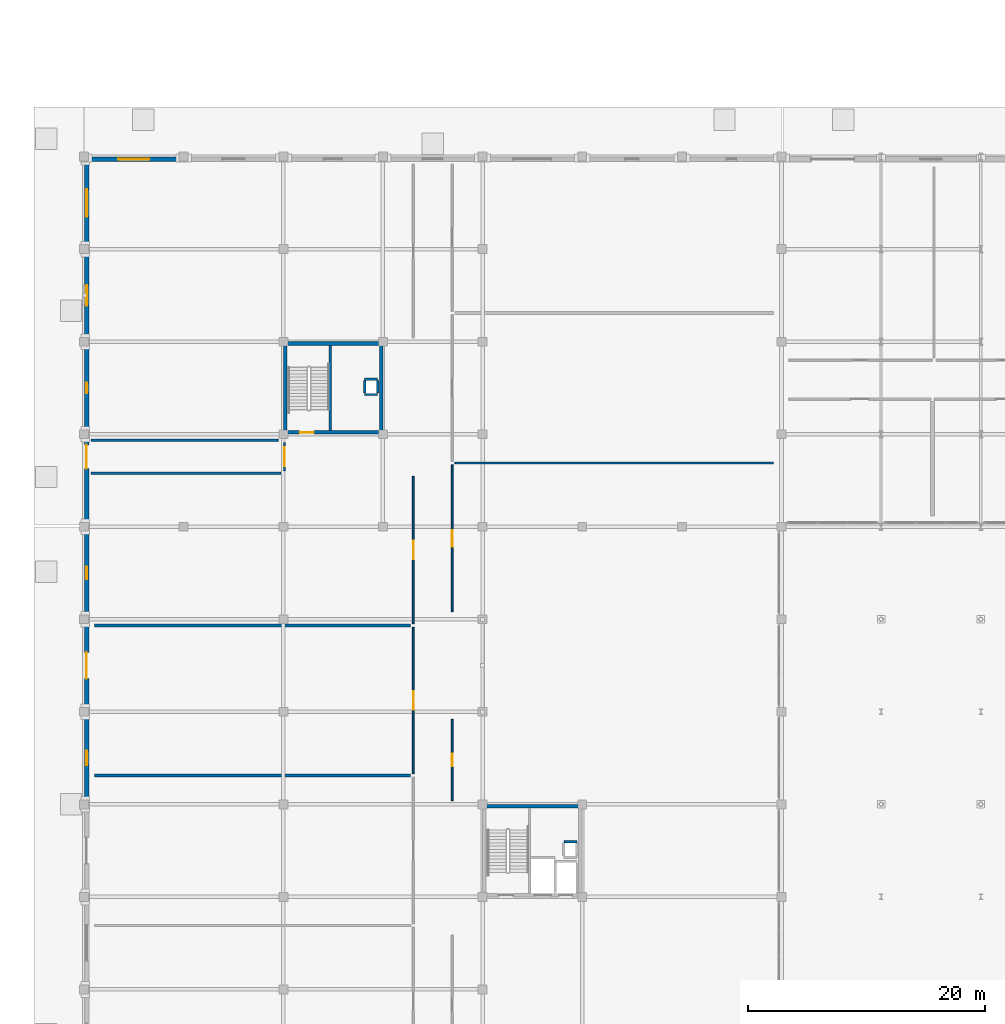
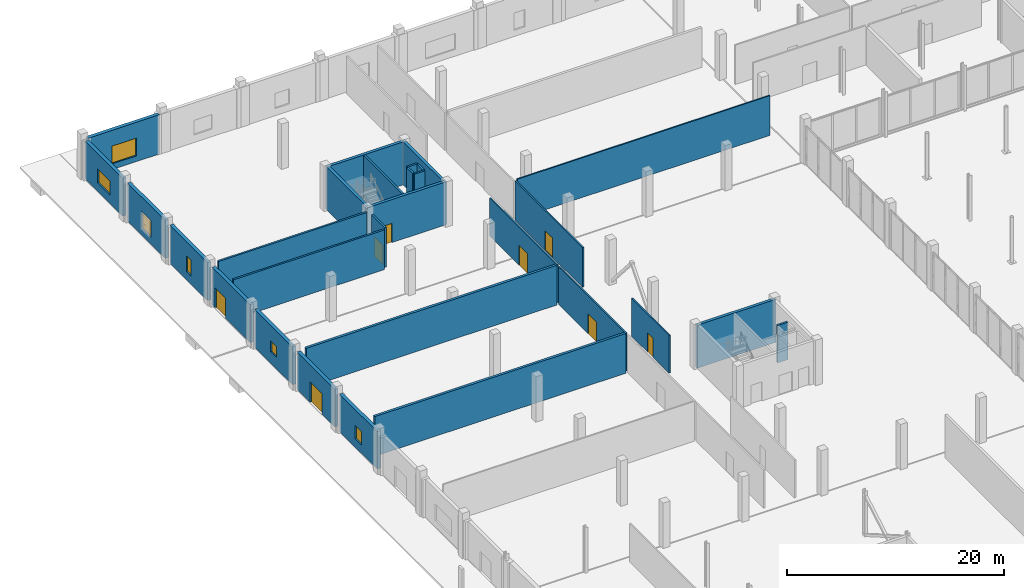
# One storey, part 50 of 80: 29 walls, 8 doors, 6 windows, 14 openings.
"""IFC4 building model written with IfcOpenShell, lengths in metres."""

from ifc_helpers import new_model, si_unit, direction, frame, frame_2d, origin, place, context, subcontext, project, spatial, rectangle, extrude, material, layer, layer_set, type_object, element, fill, save


model = new_model("IFC4")

# Units and contexts
model_context = context("Model", 3, precision=1e-05, world=origin(), true_north=direction((0.0, 1.0)))
body_context = subcontext(model_context, "Body", "Model", "MODEL_VIEW")
ifc_project = project(units=[si_unit("LENGTHUNIT", "METRE"), si_unit("AREAUNIT", "SQUARE_METRE"), si_unit("VOLUMEUNIT", "CUBIC_METRE"), si_unit("PLANEANGLEUNIT", "RADIAN"), si_unit("MASSUNIT", "GRAM", prefix="KILO")], contexts=[model_context])

# Site, building, storey
site_placement = place(None, origin())
site = spatial("IfcSite", under=ifc_project, at=site_placement, CompositionType="ELEMENT")
building_placement = place(site_placement, origin())
building = spatial("IfcBuilding", under=site, at=building_placement, Name="Nabrawat Pavilion Hospital", CompositionType="ELEMENT")
storey_placement = place(building_placement, origin())
storey = spatial("IfcBuildingStorey", under=building, at=storey_placement, Name="L00", CompositionType="ELEMENT", Elevation=0.0)

# Wall, opening, door
ifc_material_1 = material(Name="Gypsum Fireboard on Steel Stud", Category="steel")
ifc_layer_1 = layer(ifc_material_1, 0.14990234375, Name="Gypsum Fireboard on Steel Stud")
ifc_layer_set_1 = layer_set([ifc_layer_1], Name="Gypsum Fireboard on Steel Stud")
wall_type_1 = type_object("IfcWallType", Name="Clinical Corridor Smoke-Barrier Wall 150", PredefinedType="PARTITIONING", material=ifc_layer_set_1)
wall_1_placement = place(storey_placement, frame((27.760009765625, 64.989990234375, 0.0), z_axis=(0.0, 0.0, 1.0), x_axis=(0.0, 1.0, 0.0)))
wall_1 = element("IfcWall", 1, at=wall_1_placement, inside=storey, type_object=wall_type_1, Name="L00 Diagnostic Imaging Ultrasound Suite L00-03 Front Partition", PredefinedType="PARTITIONING", context=body_context, shape_type="SweptSolid", body=[
    extrude(rectangle(XDim=12.324951171875, YDim=0.14990234375, at=frame_2d((6.16259765625, 0.0))), origin(), (0.0, 0.0, 1.0), 4.260009765625),
])
opening_1_placement = place(wall_1_placement, frame((5.387451171875, 0.0, 0.0)))
opening_1 = element("IfcOpeningElement", 2, at=opening_1_placement, cuts=wall_1, Name="Opening D-IMG", PredefinedType="OPENING", context=body_context, shape_type="SweptSolid", body=[
    extrude(rectangle(XDim=1.550048828125, YDim=2.25, at=frame_2d((0.77490234375, 1.125))), frame((0.0, 0.0849609375, 0.0), z_axis=(0.0, -1.0, 0.0), x_axis=(1.0, 0.0, 0.0)), (0.0, 0.0, 1.0), 0.169921875),
])
ifc_material_2 = material(Name="Stainless-Clad Acoustic Timber and Vision Glass", Category="wood")
door_type_1 = type_object("IfcDoorType", Name="Lead-Lined Radiology Shielded Door 1550x2250", OperationType="NOTDEFINED", PredefinedType="DOOR", material=ifc_material_2)
door_1_placement = place(opening_1_placement, origin())
door_1 = element("IfcDoor", 3, at=door_1_placement, inside=storey, type_object=door_type_1, Name="Diagnostic Imaging Ultrasound Suite L00-03 Door", OperationType="SINGLE_SWING_RIGHT", OverallHeight=2.25, OverallWidth=1.550048828125, PredefinedType="DOOR", context=body_context, shape_type="SweptSolid", body=[
    extrude(rectangle(XDim=1.550048828125, YDim=2.25, at=frame_2d((0.77490234375, 1.125))), frame((0.0, 0.02490234375, 0.0), z_axis=(0.0, -1.0, 0.0), x_axis=(1.0, 0.0, 0.0)), (0.0, 0.0, 1.0), 0.050048828125),
])
fill(opening_1, door_1)

wall_2_placement = place(storey_placement, frame((27.760009765625, 77.635009765625, 0.0), z_axis=(0.0, 0.0, 1.0), x_axis=(0.0, 1.0, 0.0)))
wall_2 = element("IfcWall", 4, at=wall_2_placement, inside=storey, type_object=wall_type_1, Name="L00 Diagnostic Imaging Fluoroscopy Room L00-04 Front Partition", PredefinedType="PARTITIONING", context=body_context, shape_type="SweptSolid", body=[
    extrude(rectangle(XDim=12.405029296875, YDim=0.14990234375, at=frame_2d((6.20263671875, 0.0))), origin(), (0.0, 0.0, 1.0), 4.260009765625),
])
opening_2_placement = place(wall_2_placement, frame((5.427490234375, 0.0, 0.0)))
opening_2 = element("IfcOpeningElement", 5, at=opening_2_placement, cuts=wall_2, Name="Opening D-IMG", PredefinedType="OPENING", context=body_context, shape_type="SweptSolid", body=[
    extrude(rectangle(XDim=1.550048828125, YDim=2.25, at=frame_2d((0.77490234375, 1.125))), frame((0.0, 0.0849609375, 0.0), z_axis=(0.0, -1.0, 0.0), x_axis=(1.0, 0.0, 0.0)), (0.0, 0.0, 1.0), 0.169921875),
])
door_2_placement = place(opening_2_placement, origin())
door_2 = element("IfcDoor", 6, at=door_2_placement, inside=storey, type_object=door_type_1, Name="Diagnostic Imaging Fluoroscopy Room L00-04 Door", OperationType="SINGLE_SWING_LEFT", OverallHeight=2.25, OverallWidth=1.550048828125, PredefinedType="DOOR", context=body_context, shape_type="SweptSolid", body=[
    extrude(rectangle(XDim=1.550048828125, YDim=2.25, at=frame_2d((0.77490234375, 1.125))), frame((0.0, 0.02490234375, 0.0), z_axis=(0.0, -1.0, 0.0), x_axis=(1.0, 0.0, 0.0)), (0.0, 0.0, 1.0), 0.050048828125),
])
fill(opening_2, door_2)

wall_3_placement = place(storey_placement, frame((31.0400390625, 62.719970703125, 0.0), z_axis=(0.0, 0.0, 1.0), x_axis=(0.0, 1.0, 0.0)))
wall_3 = element("IfcWall", 7, at=wall_3_placement, inside=storey, type_object=wall_type_1, Name="L00 Orthopaedic Plaster and Fracture Clinic L00-07 Front Partition", PredefinedType="PARTITIONING", context=body_context, shape_type="SweptSolid", body=[
    extrude(rectangle(XDim=6.860107421875, YDim=0.14990234375, at=frame_2d((3.43017578125, 0.0))), origin(), (0.0, 0.0, 1.0), 4.260009765625),
])
opening_3_placement = place(wall_3_placement, frame((2.905029296875, 0.0, 0.0)))
opening_3 = element("IfcOpeningElement", 8, at=opening_3_placement, cuts=wall_3, Name="Opening D-OPC-L", PredefinedType="OPENING", context=body_context, shape_type="SweptSolid", body=[
    extrude(rectangle(XDim=1.050048828125, YDim=2.14990234375, at=frame_2d((0.52490234375, 1.074951171875))), frame((0.0, 0.0849609375, 0.0), z_axis=(0.0, -1.0, 0.0), x_axis=(1.0, 0.0, 0.0)), (0.0, 0.0, 1.0), 0.169921875),
])
door_type_2 = type_object("IfcDoorType", Name="Outpatient Clinic Consultation Door L 1050x2150", OperationType="NOTDEFINED", PredefinedType="DOOR", material=ifc_material_2)
door_3_placement = place(opening_3_placement, origin())
door_3 = element("IfcDoor", 9, at=door_3_placement, inside=storey, type_object=door_type_2, Name="Orthopaedic Plaster and Fracture Clinic L00-07 Door", OperationType="SINGLE_SWING_RIGHT", OverallHeight=2.14990234375, OverallWidth=1.050048828125, PredefinedType="DOOR", context=body_context, shape_type="SweptSolid", body=[
    extrude(rectangle(XDim=1.050048828125, YDim=2.14990234375, at=frame_2d((0.52490234375, 1.074951171875))), frame((0.0, 0.02490234375, 0.0), z_axis=(0.0, -1.0, 0.0), x_axis=(1.0, 0.0, 0.0)), (0.0, 0.0, 1.0), 0.050048828125),
])
fill(opening_3, door_3)

wall_4_placement = place(storey_placement, frame((31.0400390625, 78.6201171875, 0.0), z_axis=(0.0, 0.0, 1.0), x_axis=(0.0, 1.0, 0.0)))
wall_4 = element("IfcWall", 10, at=wall_4_placement, inside=storey, type_object=wall_type_1, Name="L00 Emergency Short-Stay Observation Ward L00-08 Front Partition", PredefinedType="PARTITIONING", context=body_context, shape_type="SweptSolid", body=[
    extrude(rectangle(XDim=12.39990234375, YDim=0.14990234375, at=frame_2d((6.199951171875, 0.0))), origin(), (0.0, 0.0, 1.0), 4.449951171875),
])
opening_4_placement = place(wall_4_placement, frame((5.5, 0.0, 0.0)))
opening_4 = element("IfcOpeningElement", 11, at=opening_4_placement, cuts=wall_4, Name="Opening D-BED", PredefinedType="OPENING", context=body_context, shape_type="SweptSolid", body=[
    extrude(rectangle(XDim=1.39990234375, YDim=2.199951171875, at=frame_2d((0.699951171875, 1.10009765625))), frame((0.0, 0.0849609375, 0.0), z_axis=(0.0, -1.0, 0.0), x_axis=(1.0, 0.0, 0.0)), (0.0, 0.0, 1.0), 0.169921875),
])
door_type_3 = type_object("IfcDoorType", Name="D-BED Inpatient Ward Leaf-and-a-Half Door 1400x2200", OperationType="NOTDEFINED", PredefinedType="DOOR", material=ifc_material_2)
door_4_placement = place(opening_4_placement, origin())
door_4 = element("IfcDoor", 12, at=door_4_placement, inside=storey, type_object=door_type_3, Name="Emergency Short-Stay Observation Ward L00-08 Door", OperationType="SINGLE_SWING_LEFT", OverallHeight=2.199951171875, OverallWidth=1.39990234375, PredefinedType="DOOR", context=body_context, shape_type="SweptSolid", body=[
    extrude(rectangle(XDim=1.39990234375, YDim=2.199951171875, at=frame_2d((0.699951171875, 1.10009765625))), frame((0.0, 0.02490234375, 0.0), z_axis=(0.0, -1.0, 0.0), x_axis=(1.0, 0.0, 0.0)), (0.0, 0.0, 1.0), 0.050048828125),
])
fill(opening_4, door_4)

# Walls
ifc_material_3 = material(Name="Barium Concrete Block", Category="concrete")
ifc_layer_2 = layer(ifc_material_3, 0.260009765625, Name="Barium Concrete Block")
ifc_layer_set_2 = layer_set([ifc_layer_2], Name="Barium Concrete Block")
wall_type_2 = type_object("IfcWallType", Name="Diagnostic X-Ray Barium-Plaster Wall 260", PredefinedType="PARTITIONING", material=ifc_layer_set_2)
for number, where, z_axis, x_axis, name in (
    (13, (0.889892578125, 64.830078125, 0.0), (0.0, 0.0, 1.0), (1.0, 0.0, 0.0), "L00 Diagnostic Imaging Digital X-Ray Room L00-02 Dividing Partition"),
    (14, (0.889892578125, 77.47509765625, 0.0), (0.0, 0.0, 1.0), (1.0, 0.0, 0.0), "L00 Diagnostic Imaging Ultrasound Suite L00-03 Dividing Partition"),
):
    element("IfcWall", number, at=place(storey_placement, frame(where, z_axis=z_axis, x_axis=x_axis)), inside=storey, type_object=wall_type_2, Name=name, PredefinedType="PARTITIONING", context=body_context, shape_type="SweptSolid", body=[
        extrude(rectangle(XDim=26.650146484375, YDim=0.260009765625, at=frame_2d((13.3251953125, 0.0))), origin(), (0.0, 0.0, 1.0), 4.4599609375),
    ])
ifc_material_4 = material(Name="Concrete C35/45", Category="concrete")
ifc_layer_3 = layer(ifc_material_4, 0.199951171875, Name="Concrete C35/45")
ifc_layer_set_3 = layer_set([ifc_layer_3], Name="Concrete C35/45")
wall_type_3 = type_object("IfcWallType", Name="Firefighting Lobby Compartment Wall 200", PredefinedType="PARTITIONING", material=ifc_layer_set_3)
wall_5_placement = place(storey_placement, frame((0.60009765625, 90.300048828125, 0.0), z_axis=(0.0, 0.0, 1.0), x_axis=(1.0, 0.0, 0.0)))
element("IfcWall", 15, at=wall_5_placement, inside=storey, type_object=wall_type_3, Name="L00 ST-07 Protected Exit Passage South Fire Wall 1", PredefinedType="PARTITIONING", context=body_context, shape_type="SweptSolid", body=[
    extrude(rectangle(XDim=16.0, YDim=0.199951171875, at=frame_2d((8.0, 0.0))), origin(), (0.0, 0.0, 1.0), 4.4599609375),
])
wall_6_placement = place(storey_placement, frame((0.60009765625, 93.10009765625, 0.0), z_axis=(0.0, 0.0, 1.0), x_axis=(1.0, 0.0, 0.0)))
element("IfcWall", 16, at=wall_6_placement, inside=storey, type_object=wall_type_3, Name="L00 ST-07 Protected Exit Passage North Fire Wall 1", PredefinedType="PARTITIONING", context=body_context, shape_type="SweptSolid", body=[
    extrude(rectangle(XDim=15.77490234375, YDim=0.199951171875, at=frame_2d((7.887451171875, 0.0))), origin(), (0.0, 0.0, 1.0), 4.81005859375),
])

# Wall, opening, door
wall_7_placement = place(storey_placement, frame((16.89990234375, 90.47998046875, 0.0), z_axis=(0.0, 0.0, 1.0), x_axis=(0.0, 1.0, 0.0)))
wall_7 = element("IfcWall", 17, at=wall_7_placement, inside=storey, type_object=wall_type_3, Name="L00 ST-07 Protected Exit Passage East Fire Wall 1", PredefinedType="PARTITIONING", context=body_context, shape_type="SweptSolid", body=[
    extrude(rectangle(XDim=2.43994140625, YDim=0.199951171875, at=frame_2d((1.219970703125, 0.0))), origin(), (0.0, 0.0, 1.0), 4.4599609375),
])
opening_5_placement = place(wall_7_placement, frame((0.419921875, 0.0, 0.0)))
opening_5 = element("IfcOpeningElement", 18, at=opening_5_placement, cuts=wall_7, Name="Opening D-FFL", PredefinedType="OPENING", context=body_context, shape_type="SweptSolid", body=[
    extrude(rectangle(XDim=1.60009765625, YDim=2.199951171875, at=frame_2d((0.800048828125, 1.10009765625))), frame((0.0, 0.10986328125, 0.0), z_axis=(0.0, -1.0, 0.0), x_axis=(1.0, 0.0, 0.0)), (0.0, 0.0, 1.0), 0.219970703125),
])
door_type_4 = type_object("IfcDoorType", Name="D-FFL Firefighting Lobby Double Smoke Door 1600x2200", OperationType="NOTDEFINED", PredefinedType="DOOR", material=ifc_material_2)
door_5_placement = place(opening_5_placement, origin())
door_5 = element("IfcDoor", 19, at=door_5_placement, inside=storey, type_object=door_type_4, Name="L00 ST-07 Protected Exit Passage Entry Fire Door", OperationType="DOUBLE_DOOR_SINGLE_SWING", OverallHeight=2.199951171875, OverallWidth=1.60009765625, PredefinedType="DOOR", context=body_context, shape_type="SweptSolid", body=[
    extrude(rectangle(XDim=1.60009765625, YDim=2.199951171875, at=frame_2d((0.800048828125, 1.10009765625))), frame((0.0, 0.02490234375, 0.0), z_axis=(0.0, -1.0, 0.0), x_axis=(1.0, 0.0, 0.0)), (0.0, 0.0, 1.0), 0.050048828125),
])
fill(opening_5, door_5)

# Walls
ifc_material_5 = material(Name="Acoustic Gypsum on Steel Stud", Category="steel")
ifc_layer_4 = layer(ifc_material_5, 0.139892578125, Name="Acoustic Gypsum on Steel Stud")
ifc_layer_set_4 = layer_set([ifc_layer_4], Name="Acoustic Gypsum on Steel Stud")
wall_type_4 = type_object("IfcWallType", Name="Inpatient Ward Acoustic Partition 140", PredefinedType="PARTITIONING", material=ifc_layer_set_4)
wall_8_placement = place(storey_placement, frame((31.260009765625, 91.179931640625, 0.0), z_axis=(0.0, 0.0, 1.0), x_axis=(1.0, 0.0, 0.0)))
element("IfcWall", 20, at=wall_8_placement, inside=storey, type_object=wall_type_4, Name="L00 Emergency Short-Stay Observation Ward L00-08 Dividing Partition", PredefinedType="PARTITIONING", context=body_context, shape_type="SweptSolid", body=[
    extrude(rectangle(XDim=26.85009765625, YDim=0.139892578125, at=frame_2d((13.425048828125, 0.0))), origin(), (0.0, 0.0, 1.0), 4.4599609375),
])
ifc_layer_5 = layer(ifc_material_4, 0.199951171875, Name="Concrete C35/45")
ifc_layer_set_5 = layer_set([ifc_layer_5], Name="Concrete C35/45")
wall_type_5 = type_object("IfcWallType", Name="Lift and Riser Fire Shaft Wall 200", PredefinedType="PARTITIONING", material=ifc_layer_set_5)
wall_9_placement = place(storey_placement, frame((40.449951171875, 59.25, 0.0), z_axis=(0.0, 0.0, 1.0), x_axis=(1.0, 0.0, 0.0)))
element("IfcWall", 21, at=wall_9_placement, inside=storey, type_object=wall_type_5, Name="L00 CORE-2 MEP Riser Shaft Wall N", PredefinedType="PARTITIONING", context=body_context, shape_type="SweptSolid", body=[
    extrude(rectangle(XDim=1.10009765625, YDim=0.199951171875, at=frame_2d((0.550048828125, 0.0))), origin(), (0.0, 0.0, 1.0), 4.2099609375),
])
wall_10_placement = place(storey_placement, frame((20.75, 93.919921875, 0.0), z_axis=(0.0, 0.0, 1.0), x_axis=(0.0, 1.0, 0.0)))
element("IfcWall", 22, at=wall_10_placement, inside=storey, type_object=wall_type_5, Name="L00 CORE-7 Stair-Lift Dividing Shear Wall", PredefinedType="SHEAR", context=body_context, shape_type="SweptSolid", body=[
    extrude(rectangle(XDim=7.16015625, YDim=0.199951171875, at=frame_2d((3.580078125, 0.0))), origin(), (0.0, 0.0, 1.0), 4.830078125),
])
for number, where, z_axis, x_axis, name in (
    (23, (23.64990234375, 96.949951171875, 0.0), (0.0, 0.0, 1.0), (1.0, 0.0, 0.0), "L00 CORE-7 MEP Riser Shaft Wall S"),
    (24, (23.64990234375, 98.25, 0.0), (0.0, 0.0, 1.0), (1.0, 0.0, 0.0), "L00 CORE-7 MEP Riser Shaft Wall N"),
):
    element("IfcWall", number, at=place(storey_placement, frame(where, z_axis=z_axis, x_axis=x_axis)), inside=storey, type_object=wall_type_5, Name=name, PredefinedType="PARTITIONING", context=body_context, shape_type="SweptSolid", body=[
        extrude(rectangle(XDim=1.10009765625, YDim=0.199951171875, at=frame_2d((0.550048828125, 0.0))), origin(), (0.0, 0.0, 1.0), 4.2099609375),
    ])
for number, where, z_axis, x_axis, name in (
    (25, (23.64990234375, 97.070068359375, 0.0), (0.0, 0.0, 1.0), (0.0, 1.0, 0.0), "L00 CORE-7 MEP Riser Shaft Wall W"),
    (26, (24.75, 97.070068359375, 0.0), (0.0, 0.0, 1.0), (0.0, 1.0, 0.0), "L00 CORE-7 MEP Riser Shaft Wall E"),
):
    element("IfcWall", number, at=place(storey_placement, frame(where, z_axis=z_axis, x_axis=x_axis)), inside=storey, type_object=wall_type_5, Name=name, PredefinedType="PARTITIONING", context=body_context, shape_type="SweptSolid", body=[
        extrude(rectangle(XDim=1.059814453125, YDim=0.199951171875, at=frame_2d((0.52978515625, 0.0))), origin(), (0.0, 0.0, 1.0), 4.2099609375),
    ])
ifc_material_6 = material(Name="Concrete C40/50", Category="concrete")
ifc_layer_6 = layer(ifc_material_6, 0.300048828125, Name="Concrete C40/50")
ifc_layer_set_6 = layer_set([ifc_layer_6], Name="Concrete C40/50")
wall_type_6 = type_object("IfcWallType", Name="Reinforced Concrete Core Shear Wall 300", PredefinedType="SHEAR", material=ifc_layer_set_6)
wall_11_placement = place(storey_placement, frame((33.60009765625, 62.25, 0.0), z_axis=(0.0, 0.0, 1.0), x_axis=(1.0, 0.0, 0.0)))
element("IfcWall", 27, at=wall_11_placement, inside=storey, type_object=wall_type_6, Name="L00 CORE-2 North Core Shear Wall", PredefinedType="SHEAR", context=body_context, shape_type="SweptSolid", body=[
    extrude(rectangle(XDim=8.39990234375, YDim=0.300048828125, at=frame_2d((4.199951171875, 0.0))), origin(), (0.0, 0.0, 1.0), 4.830078125),
])

# Wall, opening, door
wall_12_placement = place(storey_placement, frame((16.800048828125, 93.75, 0.0), z_axis=(0.0, 0.0, 1.0), x_axis=(1.0, 0.0, 0.0)))
wall_12 = element("IfcWall", 28, at=wall_12_placement, inside=storey, type_object=wall_type_6, Name="L00 CORE-7 South Core Shear Wall", PredefinedType="SHEAR", context=body_context, shape_type="SweptSolid", body=[
    extrude(rectangle(XDim=8.39990234375, YDim=0.300048828125, at=frame_2d((4.199951171875, 0.0))), origin(), (0.0, 0.0, 1.0), 4.830078125),
])
opening_6_placement = place(wall_12_placement, frame((1.3798828125, 0.0, 0.0)))
opening_6 = element("IfcOpeningElement", 29, at=opening_6_placement, cuts=wall_12, Name="Opening D-STAIR", PredefinedType="OPENING", context=body_context, shape_type="SweptSolid", body=[
    extrude(rectangle(XDim=1.199951171875, YDim=2.14990234375, at=frame_2d((0.60009765625, 1.074951171875))), frame((0.0, 0.16015625, 0.0), z_axis=(0.0, -1.0, 0.0), x_axis=(1.0, 0.0, 0.0)), (0.0, 0.0, 1.0), 0.320068359375),
])
door_type_5 = type_object("IfcDoorType", Name="D-STAIR Exit Stair Fire Door 1200x2150", OperationType="NOTDEFINED", PredefinedType="DOOR", material=ifc_material_2)
door_6_placement = place(opening_6_placement, origin())
door_6 = element("IfcDoor", 30, at=door_6_placement, inside=storey, type_object=door_type_5, Name="L00 ST-07 Fire Exit Stair Door", OperationType="SINGLE_SWING_RIGHT", OverallHeight=2.14990234375, OverallWidth=1.199951171875, PredefinedType="DOOR", context=body_context, shape_type="SweptSolid", body=[
    extrude(rectangle(XDim=1.199951171875, YDim=2.14990234375, at=frame_2d((0.60009765625, 1.074951171875))), frame((0.0, 0.02490234375, 0.0), z_axis=(0.0, -1.0, 0.0), x_axis=(1.0, 0.0, 0.0)), (0.0, 0.0, 1.0), 0.050048828125),
])
fill(opening_6, door_6)

# Walls
wall_13_placement = place(storey_placement, frame((16.800048828125, 101.25, 0.0), z_axis=(0.0, 0.0, 1.0), x_axis=(1.0, 0.0, 0.0)))
element("IfcWall", 31, at=wall_13_placement, inside=storey, type_object=wall_type_6, Name="L00 CORE-7 North Core Shear Wall", PredefinedType="SHEAR", context=body_context, shape_type="SweptSolid", body=[
    extrude(rectangle(XDim=8.39990234375, YDim=0.300048828125, at=frame_2d((4.199951171875, 0.0))), origin(), (0.0, 0.0, 1.0), 4.830078125),
])
for number, where, z_axis, x_axis, name in (
    (32, (16.949951171875, 93.89990234375, 0.0), (0.0, 0.0, 1.0), (0.0, 1.0, 0.0), "L00 CORE-7 West Core Shear Wall"),
    (33, (25.050048828125, 93.89990234375, 0.0), (0.0, 0.0, 1.0), (0.0, 1.0, 0.0), "L00 CORE-7 East Core Shear Wall"),
):
    element("IfcWall", number, at=place(storey_placement, frame(where, z_axis=z_axis, x_axis=x_axis)), inside=storey, type_object=wall_type_6, Name=name, PredefinedType="SHEAR", context=body_context, shape_type="SweptSolid", body=[
        extrude(rectangle(XDim=7.2001953125, YDim=0.300048828125, at=frame_2d((3.60009765625, 0.0))), origin(), (0.0, 0.0, 1.0), 4.830078125),
    ])

# Wall, opening, window
ifc_material_7 = material(Name="Precast concrete C40/50", Category="concrete")
ifc_layer_7 = layer(ifc_material_7, 0.360107421875, Name="Precast concrete C40/50")
ifc_layer_set_7 = layer_set([ifc_layer_7], Name="Precast concrete C40/50")
wall_type_7 = type_object("IfcWallType", Name="Surgical Acoustic Precast Facade Wall 360", PredefinedType="SOLIDWALL", material=ifc_layer_set_7)
wall_14_placement = place(storey_placement, frame((0.219970703125, 62.824951171875, 0.0), z_axis=(0.0, 0.0, 1.0), x_axis=(0.0, 1.0, 0.0)))
wall_14 = element("IfcWall", 34, at=wall_14_placement, inside=storey, type_object=wall_type_7, Name="L00 Surgical Acoustic Precast Facade Wall 360 100", PredefinedType="SOLIDWALL", context=body_context, shape_type="SweptSolid", body=[
    extrude(rectangle(XDim=6.949951171875, YDim=0.360107421875, at=frame_2d((3.47509765625, 0.0))), origin(), (0.0, 0.0, 1.0), 4.2099609375),
])
opening_7_placement = place(wall_14_placement, frame((2.85009765625, 0.0, 0.949951171875)))
opening_7 = element("IfcOpeningElement", 35, at=opening_7_placement, cuts=wall_14, Name="Opening WN-17", PredefinedType="OPENING", context=body_context, shape_type="SweptSolid", body=[
    extrude(rectangle(XDim=1.25, YDim=1.5, at=frame_2d((0.625, 0.75))), frame((0.0, 0.18994140625, 0.0), z_axis=(0.0, -1.0, 0.0), x_axis=(1.0, 0.0, 0.0)), (0.0, 0.0, 1.0), 0.380126953125),
])
ifc_material_8 = material(Name="Thermally Broken Aluminium and Solar Glass", Category="aluminium")
window_type_1 = type_object("IfcWindowType", Name="Administration Office Window 1250x1500", PartitioningType="SINGLE_PANEL", PredefinedType="WINDOW", material=ifc_material_8)
window_1_placement = place(opening_7_placement, origin())
window_1 = element("IfcWindow", 36, at=window_1_placement, inside=storey, type_object=window_type_1, Name="L00 Administration Office Window 1250x1500 017", OverallHeight=1.5, OverallWidth=1.25, PartitioningType="SINGLE_PANEL", PredefinedType="WINDOW", context=body_context, shape_type="SweptSolid", body=[
    extrude(rectangle(XDim=1.25, YDim=1.5, at=frame_2d((0.625, 0.75))), frame((0.0, 0.030029296875, 0.0), z_axis=(0.0, -1.0, 0.0), x_axis=(1.0, 0.0, 0.0)), (0.0, 0.0, 1.0), 0.06005859375),
])
fill(opening_7, window_1)

# Wall, opening, door
wall_15_placement = place(storey_placement, frame((0.219970703125, 70.625, 0.0), z_axis=(0.0, 0.0, 1.0), x_axis=(0.0, 1.0, 0.0)))
wall_15 = element("IfcWall", 37, at=wall_15_placement, inside=storey, type_object=wall_type_7, Name="L00 Surgical Acoustic Precast Facade Wall 360 101", PredefinedType="SOLIDWALL", context=body_context, shape_type="SweptSolid", body=[
    extrude(rectangle(XDim=6.949951171875, YDim=0.360107421875, at=frame_2d((3.47509765625, 0.0))), origin(), (0.0, 0.0, 1.0), 4.2099609375),
])
opening_8_placement = place(wall_15_placement, frame((2.375, 0.0, 0.0)))
opening_8 = element("IfcOpeningElement", 38, at=opening_8_placement, cuts=wall_15, Name="Opening ED-EXIT-220", PredefinedType="OPENING", context=body_context, shape_type="SweptSolid", body=[
    extrude(rectangle(XDim=2.199951171875, YDim=2.300048828125, at=frame_2d((1.10009765625, 1.14990234375))), frame((0.0, 0.18994140625, 0.0), z_axis=(0.0, -1.0, 0.0), x_axis=(1.0, 0.0, 0.0)), (0.0, 0.0, 1.0), 0.380126953125),
])
ifc_material_9 = material(Name="Powder-Coated Galvanised Steel and Safety Glass", Category="steel")
door_type_6 = type_object("IfcDoorType", Name="Perimeter Double Final-Exit Door 2200x2300", OperationType="NOTDEFINED", PredefinedType="DOOR", material=ifc_material_9)
door_7_placement = place(opening_8_placement, origin())
door_7 = element("IfcDoor", 39, at=door_7_placement, inside=storey, type_object=door_type_6, Name="L00 Perimeter Final Exit Door 10", OperationType="DOUBLE_DOOR_SINGLE_SWING", OverallHeight=2.300048828125, OverallWidth=2.199951171875, PredefinedType="DOOR", context=body_context, shape_type="SweptSolid", body=[
    extrude(rectangle(XDim=2.199951171875, YDim=2.300048828125, at=frame_2d((1.10009765625, 1.14990234375))), frame((0.0, 0.02490234375, 0.0), z_axis=(0.0, -1.0, 0.0), x_axis=(1.0, 0.0, 0.0)), (0.0, 0.0, 1.0), 0.050048828125),
])
fill(opening_8, door_7)

# Wall, opening, window
wall_16_placement = place(storey_placement, frame((0.219970703125, 78.425048828125, 0.0), z_axis=(0.0, 0.0, 1.0), x_axis=(0.0, 1.0, 0.0)))
wall_16 = element("IfcWall", 40, at=wall_16_placement, inside=storey, type_object=wall_type_7, Name="L00 Surgical Acoustic Precast Facade Wall 360 102", PredefinedType="SOLIDWALL", context=body_context, shape_type="SweptSolid", body=[
    extrude(rectangle(XDim=6.949951171875, YDim=0.360107421875, at=frame_2d((3.47509765625, 0.0))), origin(), (0.0, 0.0, 1.0), 4.260009765625),
])
opening_9_placement = place(wall_16_placement, frame((2.949951171875, 0.0, 1.300048828125)))
opening_9 = element("IfcOpeningElement", 41, at=opening_9_placement, cuts=wall_16, Name="Opening WN-18", PredefinedType="OPENING", context=body_context, shape_type="SweptSolid", body=[
    extrude(rectangle(XDim=1.050048828125, YDim=1.199951171875, at=frame_2d((0.52490234375, 0.60009765625))), frame((0.0, 0.18994140625, 0.0), z_axis=(0.0, -1.0, 0.0), x_axis=(1.0, 0.0, 0.0)), (0.0, 0.0, 1.0), 0.380126953125),
])
window_type_2 = type_object("IfcWindowType", Name="Pharmacy Daylight Slot Window 1050x1200", PartitioningType="SINGLE_PANEL", PredefinedType="WINDOW", material=ifc_material_8)
window_2_placement = place(opening_9_placement, origin())
window_2 = element("IfcWindow", 42, at=window_2_placement, inside=storey, type_object=window_type_2, Name="L00 Pharmacy Daylight Slot Window 1050x1200 018", OverallHeight=1.199951171875, OverallWidth=1.050048828125, PartitioningType="SINGLE_PANEL", PredefinedType="WINDOW", context=body_context, shape_type="SweptSolid", body=[
    extrude(rectangle(XDim=1.050048828125, YDim=1.199951171875, at=frame_2d((0.52490234375, 0.60009765625))), frame((0.0, 0.030029296875, 0.0), z_axis=(0.0, -1.0, 0.0), x_axis=(1.0, 0.0, 0.0)), (0.0, 0.0, 1.0), 0.06005859375),
])
fill(opening_9, window_2)

# Wall, opening, door
wall_17_placement = place(storey_placement, frame((0.219970703125, 86.22509765625, 0.0), z_axis=(0.0, 0.0, 1.0), x_axis=(0.0, 1.0, 0.0)))
wall_17 = element("IfcWall", 43, at=wall_17_placement, inside=storey, type_object=wall_type_7, Name="L00 Surgical Acoustic Precast Facade Wall 360 103", PredefinedType="SOLIDWALL", context=body_context, shape_type="SweptSolid", body=[
    extrude(rectangle(XDim=6.949951171875, YDim=0.360107421875, at=frame_2d((3.47509765625, 0.0))), origin(), (0.0, 0.0, 1.0), 4.260009765625),
])
opening_10_placement = place(wall_17_placement, frame((4.47509765625, 0.0, 0.0)))
opening_10 = element("IfcOpeningElement", 44, at=opening_10_placement, cuts=wall_17, Name="Opening ED-EXIT-200", PredefinedType="OPENING", context=body_context, shape_type="SweptSolid", body=[
    extrude(rectangle(XDim=2.0, YDim=2.25, at=frame_2d((1.0, 1.125))), frame((0.0, 0.18994140625, 0.0), z_axis=(0.0, -1.0, 0.0), x_axis=(1.0, 0.0, 0.0)), (0.0, 0.0, 1.0), 0.380126953125),
])
door_type_7 = type_object("IfcDoorType", Name="Secondary Final-Exit Double Door 2000x2250", OperationType="NOTDEFINED", PredefinedType="DOOR", material=ifc_material_9)
door_8_placement = place(opening_10_placement, origin())
door_8 = element("IfcDoor", 45, at=door_8_placement, inside=storey, type_object=door_type_7, Name="L00 ST-07 Protected Exit Discharge Final Exit Door", OperationType="DOUBLE_DOOR_SINGLE_SWING", OverallHeight=2.25, OverallWidth=2.0, PredefinedType="DOOR", context=body_context, shape_type="SweptSolid", body=[
    extrude(rectangle(XDim=2.0, YDim=2.25, at=frame_2d((1.0, 1.125))), frame((0.0, 0.02490234375, 0.0), z_axis=(0.0, -1.0, 0.0), x_axis=(1.0, 0.0, 0.0)), (0.0, 0.0, 1.0), 0.050048828125),
])
fill(opening_10, door_8)

# Wall, opening, window
wall_18_placement = place(storey_placement, frame((0.219970703125, 94.02490234375, 0.0), z_axis=(0.0, 0.0, 1.0), x_axis=(0.0, 1.0, 0.0)))
wall_18 = element("IfcWall", 46, at=wall_18_placement, inside=storey, type_object=wall_type_7, Name="L00 Surgical Acoustic Precast Facade Wall 360 104", PredefinedType="SOLIDWALL", context=body_context, shape_type="SweptSolid", body=[
    extrude(rectangle(XDim=6.9501953125, YDim=0.360107421875, at=frame_2d((3.47509765625, 0.0))), origin(), (0.0, 0.0, 1.0), 4.260009765625),
])
opening_11_placement = place(wall_18_placement, frame((3.02490234375, 0.0, 0.89990234375)))
opening_11 = element("IfcOpeningElement", 47, at=opening_11_placement, cuts=wall_18, Name="Opening WN-19", PredefinedType="OPENING", context=body_context, shape_type="SweptSolid", body=[
    extrude(rectangle(XDim=0.89990234375, YDim=1.800048828125, at=frame_2d((0.449951171875, 0.89990234375))), frame((0.0, 0.18994140625, 0.0), z_axis=(0.0, -1.0, 0.0), x_axis=(1.0, 0.0, 0.0)), (0.0, 0.0, 1.0), 0.380126953125),
])
window_type_3 = type_object("IfcWindowType", Name="Stair Core Natural Light Slot 900x1800", PartitioningType="SINGLE_PANEL", PredefinedType="WINDOW", material=ifc_material_8)
window_3_placement = place(opening_11_placement, origin())
window_3 = element("IfcWindow", 48, at=window_3_placement, inside=storey, type_object=window_type_3, Name="L00 Stair Core Natural Light Slot 900x1800 019", OverallHeight=1.800048828125, OverallWidth=0.89990234375, PartitioningType="SINGLE_PANEL", PredefinedType="WINDOW", context=body_context, shape_type="SweptSolid", body=[
    extrude(rectangle(XDim=0.89990234375, YDim=1.800048828125, at=frame_2d((0.449951171875, 0.89990234375))), frame((0.0, 0.030029296875, 0.0), z_axis=(0.0, -1.0, 0.0), x_axis=(1.0, 0.0, 0.0)), (0.0, 0.0, 1.0), 0.06005859375),
])
fill(opening_11, window_3)

wall_19_placement = place(storey_placement, frame((0.219970703125, 101.824951171875, 0.0), z_axis=(0.0, 0.0, 1.0), x_axis=(0.0, 1.0, 0.0)))
wall_19 = element("IfcWall", 49, at=wall_19_placement, inside=storey, type_object=wall_type_7, Name="L00 Surgical Acoustic Precast Facade Wall 360 105", PredefinedType="SOLIDWALL", context=body_context, shape_type="SweptSolid", body=[
    extrude(rectangle(XDim=6.949951171875, YDim=0.360107421875, at=frame_2d((3.47509765625, 0.0))), origin(), (0.0, 0.0, 1.0), 4.260009765625),
])
opening_12_placement = place(wall_19_placement, frame((2.60009765625, 0.0, 0.75)))
opening_12 = element("IfcOpeningElement", 50, at=opening_12_placement, cuts=wall_19, Name="Opening WN-20", PredefinedType="OPENING", context=body_context, shape_type="SweptSolid", body=[
    extrude(rectangle(XDim=1.75, YDim=1.89990234375, at=frame_2d((0.875, 0.949951171875))), frame((0.0, 0.18994140625, 0.0), z_axis=(0.0, -1.0, 0.0), x_axis=(1.0, 0.0, 0.0)), (0.0, 0.0, 1.0), 0.380126953125),
])
window_type_4 = type_object("IfcWindowType", Name="Corridor End Daylight Window 1750x1900", PartitioningType="SINGLE_PANEL", PredefinedType="WINDOW", material=ifc_material_8)
window_4_placement = place(opening_12_placement, origin())
window_4 = element("IfcWindow", 51, at=window_4_placement, inside=storey, type_object=window_type_4, Name="L00 Corridor End Daylight Window 1750x1900 020", OverallHeight=1.89990234375, OverallWidth=1.75, PartitioningType="SINGLE_PANEL", PredefinedType="WINDOW", context=body_context, shape_type="SweptSolid", body=[
    extrude(rectangle(XDim=1.75, YDim=1.89990234375, at=frame_2d((0.875, 0.949951171875))), frame((0.0, 0.030029296875, 0.0), z_axis=(0.0, -1.0, 0.0), x_axis=(1.0, 0.0, 0.0)), (0.0, 0.0, 1.0), 0.06005859375),
])
fill(opening_12, window_4)

wall_20_placement = place(storey_placement, frame((0.219970703125, 109.625, 0.0), z_axis=(0.0, 0.0, 1.0), x_axis=(0.0, 1.0, 0.0)))
wall_20 = element("IfcWall", 52, at=wall_20_placement, inside=storey, type_object=wall_type_7, Name="L00 Surgical Acoustic Precast Facade Wall 360 106", PredefinedType="SOLIDWALL", context=body_context, shape_type="SweptSolid", body=[
    extrude(rectangle(XDim=6.93505859375, YDim=0.360107421875, at=frame_2d((3.467529296875, 0.0))), origin(), (0.0, 0.0, 1.0), 4.260009765625),
])
opening_13_placement = place(wall_20_placement, frame((2.3173828125, 0.0, 0.949951171875)))
opening_13 = element("IfcOpeningElement", 53, at=opening_13_placement, cuts=wall_20, Name="Opening WN-21", PredefinedType="OPENING", context=body_context, shape_type="SweptSolid", body=[
    extrude(rectangle(XDim=2.300048828125, YDim=1.550048828125, at=frame_2d((1.14990234375, 0.77490234375))), frame((0.0, 0.18994140625, 0.0), z_axis=(0.0, -1.0, 0.0), x_axis=(1.0, 0.0, 0.0)), (0.0, 0.0, 1.0), 0.380126953125),
])
window_type_5 = type_object("IfcWindowType", Name="Sunken Forecourt Metro Window 2300x1550", PartitioningType="SINGLE_PANEL", PredefinedType="WINDOW", material=ifc_material_8)
window_5_placement = place(opening_13_placement, origin())
window_5 = element("IfcWindow", 54, at=window_5_placement, inside=storey, type_object=window_type_5, Name="L00 Sunken Forecourt Metro Window 2300x1550 021", OverallHeight=1.550048828125, OverallWidth=2.300048828125, PartitioningType="SINGLE_PANEL", PredefinedType="WINDOW", context=body_context, shape_type="SweptSolid", body=[
    extrude(rectangle(XDim=2.300048828125, YDim=1.550048828125, at=frame_2d((1.14990234375, 0.77490234375))), frame((0.0, 0.030029296875, 0.0), z_axis=(0.0, -1.0, 0.0), x_axis=(1.0, 0.0, 0.0)), (0.0, 0.0, 1.0), 0.06005859375),
])
fill(opening_13, window_5)

wall_21_placement = place(storey_placement, frame((0.425048828125, 116.780029296875, 0.0), z_axis=(0.0, 0.0, 1.0), x_axis=(1.0, 0.0, 0.0)))
wall_21 = element("IfcWall", 55, at=wall_21_placement, inside=storey, type_object=wall_type_7, Name="L00 Surgical Acoustic Precast Facade Wall 360 107", PredefinedType="SOLIDWALL", context=body_context, shape_type="SweptSolid", body=[
    extrude(rectangle(XDim=7.550048828125, YDim=0.360107421875, at=frame_2d((3.77490234375, 0.0))), origin(), (0.0, 0.0, 1.0), 4.419921875),
])
opening_14_placement = place(wall_21_placement, frame((2.47509765625, 0.0, 0.64990234375)))
opening_14 = element("IfcOpeningElement", 56, at=opening_14_placement, cuts=wall_21, Name="Opening WN-22", PredefinedType="OPENING", context=body_context, shape_type="SweptSolid", body=[
    extrude(rectangle(XDim=2.60009765625, YDim=2.0, at=frame_2d((1.300048828125, 1.0))), frame((0.0, 0.18994140625, 0.0), z_axis=(0.0, -1.0, 0.0), x_axis=(1.0, 0.0, 0.0)), (0.0, 0.0, 1.0), 0.380126953125),
])
window_type_6 = type_object("IfcWindowType", Name="Rehabilitation Gym Tall Window 2600x2000", PartitioningType="SINGLE_PANEL", PredefinedType="WINDOW", material=ifc_material_8)
window_6_placement = place(opening_14_placement, origin())
window_6 = element("IfcWindow", 57, at=window_6_placement, inside=storey, type_object=window_type_6, Name="L00 Rehabilitation Gym Tall Window 2600x2000 022", OverallHeight=2.0, OverallWidth=2.60009765625, PartitioningType="SINGLE_PANEL", PredefinedType="WINDOW", context=body_context, shape_type="SweptSolid", body=[
    extrude(rectangle(XDim=2.60009765625, YDim=2.0, at=frame_2d((1.300048828125, 1.0))), frame((0.0, 0.030029296875, 0.0), z_axis=(0.0, -1.0, 0.0), x_axis=(1.0, 0.0, 0.0)), (0.0, 0.0, 1.0), 0.06005859375),
])
fill(opening_14, window_6)

save(model, "model.ifc")
